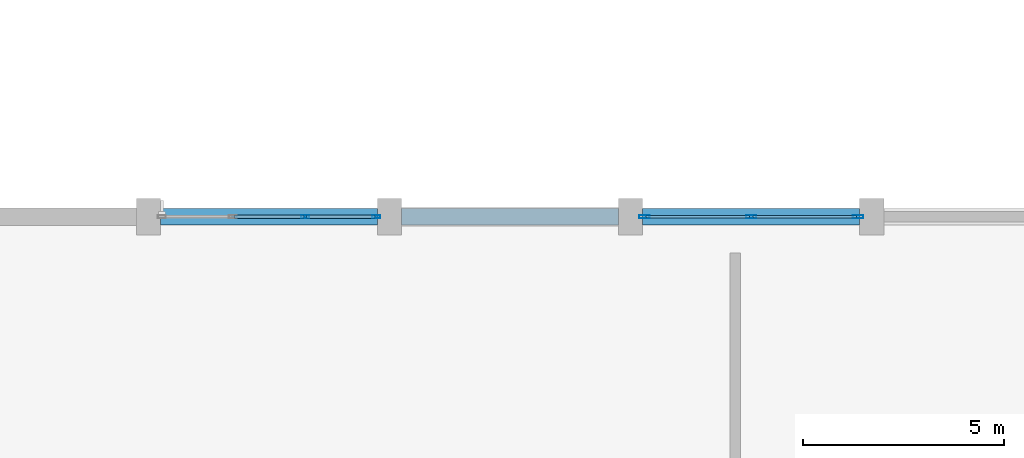
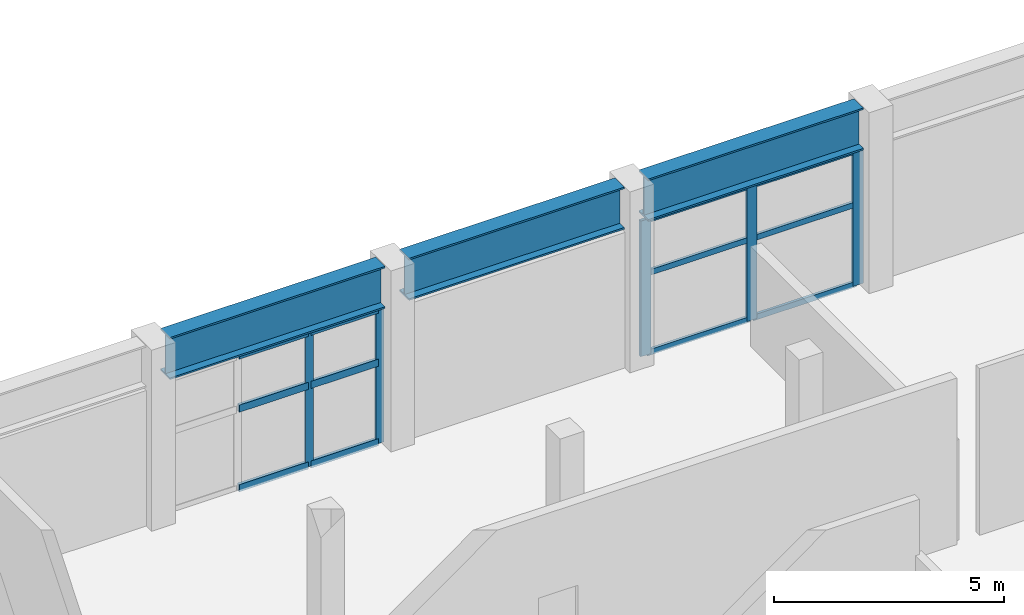
# One storey, part 23 of 62: 17 members, 3 beams, 2 elements without a shape of their own.
"""IFC4 building model written with IfcOpenShell, lengths in metres."""

from ifc_helpers import new_model, si_unit, direction, frame, origin, origin_2d, place, context, subcontext, project, spatial, hollow_rectangle, i_section, extrude, material, layer, layer_set, material_profile, profile_set, type_object, element, aggregate, save


model = new_model("IFC4")

# Units and contexts
model_context = context("Model", 3, precision=1e-05, world=origin(), true_north=direction((0.0, 1.0)))
body_context = subcontext(model_context, "Body", "Model", "MODEL_VIEW")
ifc_project = project(units=[si_unit("LENGTHUNIT", "METRE"), si_unit("AREAUNIT", "SQUARE_METRE"), si_unit("VOLUMEUNIT", "CUBIC_METRE"), si_unit("PLANEANGLEUNIT", "RADIAN"), si_unit("MASSUNIT", "GRAM", prefix="KILO")], contexts=[model_context])

# Site, building, storey
site_placement = place(None, origin())
site = spatial("IfcSite", under=ifc_project, at=site_placement, CompositionType="ELEMENT")
building_placement = place(site_placement, origin())
building = spatial("IfcBuilding", under=site, at=building_placement, Name="Vaelkrest Opera House", CompositionType="ELEMENT")
storey_placement = place(building_placement, frame((0.0, 0.0, 19.800048828125)))
storey = spatial("IfcBuildingStorey", under=building, at=storey_placement, Name="L04", CompositionType="ELEMENT", Elevation=19.800048828125)

# Curtain wall, members
ifc_material_1 = material(Name="Dark bronze anodized aluminium", Category="aluminium")
ifc_layer_1 = layer(ifc_material_1, 0.22998046875)
ifc_layer_set_1 = layer_set([ifc_layer_1], Name="Dark bronze anodized aluminium")
curtain_wall_type_1 = type_object("IfcCurtainWallType", Name="CW06", PredefinedType="NOTDEFINED", material=ifc_layer_set_1)
curtain_wall_1_placement = place(storey_placement, origin())
curtain_wall_1 = element("IfcCurtainWall", 1, at=curtain_wall_1_placement, inside=storey, type_object=curtain_wall_type_1, Name="Curtain wall CW-L04-144", PredefinedType="NOTDEFINED")
ifc_material_profile_1 = material_profile(ifc_material_1, hollow_rectangle(XDim=0.070068359375, YDim=0.199951171875, WallThickness=0.004150390625, at=origin_2d()), Name="CWM70X200")
ifc_profile_set_1 = profile_set([ifc_material_profile_1], Name="Dark bronze anodized aluminium")
member_type_1 = type_object("IfcMemberType", Name="CWM02", PredefinedType="MULLION", material=ifc_profile_set_1)
member_1_placement = place(storey_placement, frame((-59.69921875, 17.699951171875, 0.0), z_axis=(0.0, 0.0, 1.0), x_axis=(0.0, 1.0, 0.0)))
member_1 = element("IfcMember", 2, at=member_1_placement, type_object=member_type_1, Name="CW06 mullion 3", PredefinedType="MULLION", context=body_context, shape_type="SweptSolid", body=[
    extrude(hollow_rectangle(XDim=0.070068359375, YDim=0.199951171875, WallThickness=0.004150390625, at=origin_2d()), origin(), (0.0, 0.0, 1.0), 3.596923828125),
])
member_2_placement = place(storey_placement, frame((-57.93310546875, 17.699951171875, 0.0), z_axis=(0.0, 0.0, 1.0), x_axis=(0.0, 1.0, 0.0)))
member_2 = element("IfcMember", 3, at=member_2_placement, type_object=member_type_1, Name="CW06 mullion 4", PredefinedType="MULLION", context=body_context, shape_type="SweptSolid", body=[
    extrude(hollow_rectangle(XDim=0.070068359375, YDim=0.199951171875, WallThickness=0.004150390625, at=origin_2d()), origin(), (0.0, 0.0, 1.0), 3.596923828125),
])

ifc_layer_2 = layer(ifc_material_1, 0.25)
ifc_layer_set_2 = layer_set([ifc_layer_2], Name="Dark bronze anodized aluminium")
curtain_wall_type_2 = type_object("IfcCurtainWallType", Name="CW08", PredefinedType="NOTDEFINED", material=ifc_layer_set_2)
curtain_wall_2_placement = place(storey_placement, origin())
curtain_wall_2 = element("IfcCurtainWall", 4, at=curtain_wall_2_placement, inside=storey, type_object=curtain_wall_type_2, Name="Curtain wall CW-L04-145", PredefinedType="NOTDEFINED")
ifc_material_profile_2 = material_profile(ifc_material_1, hollow_rectangle(XDim=0.080078125, YDim=0.260009765625, WallThickness=0.0048828125, at=origin_2d()), Name="CWM80X260")
ifc_profile_set_2 = profile_set([ifc_material_profile_2], Name="Dark bronze anodized aluminium")
member_type_2 = type_object("IfcMemberType", Name="CWM04", PredefinedType="MULLION", material=ifc_profile_set_2)
member_3_placement = place(storey_placement, frame((-51.261962890625, 17.699951171875, 0.0), z_axis=(0.0, 0.0, 1.0), x_axis=(0.0, 1.0, 0.0)))
member_3 = element("IfcMember", 5, at=member_3_placement, type_object=member_type_2, Name="CW08 mullion 1", PredefinedType="MULLION", context=body_context, shape_type="SweptSolid", body=[
    extrude(hollow_rectangle(XDim=0.080078125, YDim=0.260009765625, WallThickness=0.0048828125, at=origin_2d()), origin(), (0.0, 0.0, 1.0), 3.596923828125),
])
member_4_placement = place(storey_placement, frame((-48.60009765625, 17.699951171875, 0.0), z_axis=(0.0, 0.0, 1.0), x_axis=(0.0, 1.0, 0.0)))
member_4 = element("IfcMember", 6, at=member_4_placement, type_object=member_type_2, Name="CW08 mullion 2", PredefinedType="MULLION", context=body_context, shape_type="SweptSolid", body=[
    extrude(hollow_rectangle(XDim=0.080078125, YDim=0.260009765625, WallThickness=0.0048828125, at=origin_2d()), origin(), (0.0, 0.0, 1.0), 3.596923828125),
])
member_5_placement = place(storey_placement, frame((-45.93798828125, 17.699951171875, 0.0), z_axis=(0.0, 0.0, 1.0), x_axis=(0.0, 1.0, 0.0)))
member_5 = element("IfcMember", 7, at=member_5_placement, type_object=member_type_2, Name="CW08 mullion 3", PredefinedType="MULLION", context=body_context, shape_type="SweptSolid", body=[
    extrude(hollow_rectangle(XDim=0.080078125, YDim=0.260009765625, WallThickness=0.0048828125, at=origin_2d()), origin(), (0.0, 0.0, 1.0), 3.596923828125),
])
ifc_material_profile_3 = material_profile(ifc_material_1, hollow_rectangle(XDim=0.070068359375, YDim=0.14990234375, WallThickness=0.004150390625, at=origin_2d()), Name="CWT70X150")
ifc_profile_set_3 = profile_set([ifc_material_profile_3], Name="Dark bronze anodized aluminium")
member_type_3 = type_object("IfcMemberType", Name="CWT02", PredefinedType="USERDEFINED", material=ifc_profile_set_3)
member_6_placement = place(storey_placement, frame((-51.221923828125, 17.699951171875, 0.034912109375), z_axis=(1.0, 0.0, 0.0), x_axis=(0.0, 1.0, 0.0)))
member_6 = element("IfcMember", 8, at=member_6_placement, type_object=member_type_3, Name="CW08 transom 1.1", ObjectType="TRANSOM", PredefinedType="USERDEFINED", context=body_context, shape_type="SweptSolid", body=[
    extrude(hollow_rectangle(XDim=0.070068359375, YDim=0.14990234375, WallThickness=0.004150390625, at=origin_2d()), origin(), (0.0, 0.0, 1.0), 2.58203125),
])
member_7_placement = place(storey_placement, frame((-51.221923828125, 17.699951171875, 2.14990234375), z_axis=(1.0, 0.0, 0.0), x_axis=(0.0, 1.0, 0.0)))
member_7 = element("IfcMember", 9, at=member_7_placement, type_object=member_type_3, Name="CW08 transom 1.2", ObjectType="TRANSOM", PredefinedType="USERDEFINED", context=body_context, shape_type="SweptSolid", body=[
    extrude(hollow_rectangle(XDim=0.070068359375, YDim=0.14990234375, WallThickness=0.004150390625, at=origin_2d()), origin(), (0.0, 0.0, 1.0), 2.58203125),
])
member_8_placement = place(storey_placement, frame((-51.221923828125, 17.699951171875, 3.56201171875), z_axis=(1.0, 0.0, 0.0), x_axis=(0.0, 1.0, 0.0)))
member_8 = element("IfcMember", 10, at=member_8_placement, type_object=member_type_3, Name="CW08 transom 1.3", ObjectType="TRANSOM", PredefinedType="USERDEFINED", context=body_context, shape_type="SweptSolid", body=[
    extrude(hollow_rectangle(XDim=0.070068359375, YDim=0.14990234375, WallThickness=0.004150390625, at=origin_2d()), origin(), (0.0, 0.0, 1.0), 2.58203125),
])
member_9_placement = place(storey_placement, frame((-48.56005859375, 17.699951171875, 0.034912109375), z_axis=(1.0, 0.0, 0.0), x_axis=(0.0, 1.0, 0.0)))
member_9 = element("IfcMember", 11, at=member_9_placement, type_object=member_type_3, Name="CW08 transom 2.1", ObjectType="TRANSOM", PredefinedType="USERDEFINED", context=body_context, shape_type="SweptSolid", body=[
    extrude(hollow_rectangle(XDim=0.070068359375, YDim=0.14990234375, WallThickness=0.004150390625, at=origin_2d()), origin(), (0.0, 0.0, 1.0), 2.58203125),
])
member_10_placement = place(storey_placement, frame((-48.56005859375, 17.699951171875, 2.14990234375), z_axis=(1.0, 0.0, 0.0), x_axis=(0.0, 1.0, 0.0)))
member_10 = element("IfcMember", 12, at=member_10_placement, type_object=member_type_3, Name="CW08 transom 2.2", ObjectType="TRANSOM", PredefinedType="USERDEFINED", context=body_context, shape_type="SweptSolid", body=[
    extrude(hollow_rectangle(XDim=0.070068359375, YDim=0.14990234375, WallThickness=0.004150390625, at=origin_2d()), origin(), (0.0, 0.0, 1.0), 2.58203125),
])
member_11_placement = place(storey_placement, frame((-48.56005859375, 17.699951171875, 3.56201171875), z_axis=(1.0, 0.0, 0.0), x_axis=(0.0, 1.0, 0.0)))
member_11 = element("IfcMember", 13, at=member_11_placement, type_object=member_type_3, Name="CW08 transom 2.3", ObjectType="TRANSOM", PredefinedType="USERDEFINED", context=body_context, shape_type="SweptSolid", body=[
    extrude(hollow_rectangle(XDim=0.070068359375, YDim=0.14990234375, WallThickness=0.004150390625, at=origin_2d()), origin(), (0.0, 0.0, 1.0), 2.58203125),
])
aggregate(curtain_wall_2, [member_3, member_4, member_5, member_6, member_7, member_8, member_9, member_10, member_11])

# Member
ifc_material_profile_4 = material_profile(ifc_material_1, hollow_rectangle(XDim=0.080078125, YDim=0.18994140625, WallThickness=0.0048828125, at=origin_2d()), Name="CWT80X190")
ifc_profile_set_4 = profile_set([ifc_material_profile_4], Name="Dark bronze anodized aluminium")
member_type_4 = type_object("IfcMemberType", Name="CWT04", PredefinedType="USERDEFINED", material=ifc_profile_set_4)
member_12_placement = place(storey_placement, frame((-61.465576171875, 17.699951171875, 0.0400390625), z_axis=(1.0, 0.0, 0.0), x_axis=(0.0, 1.0, 0.0)))
member_12 = element("IfcMember", 14, at=member_12_placement, type_object=member_type_4, Name="CW06 transom 2.1", ObjectType="TRANSOM", PredefinedType="USERDEFINED", context=body_context, shape_type="SweptSolid", body=[
    extrude(hollow_rectangle(XDim=0.080078125, YDim=0.18994140625, WallThickness=0.0048828125, at=origin_2d()), origin(), (0.0, 0.0, 1.0), 1.731201171875),
])

member_13_placement = place(storey_placement, frame((-61.465576171875, 17.699951171875, 2.14990234375), z_axis=(1.0, 0.0, 0.0), x_axis=(0.0, 1.0, 0.0)))
member_13 = element("IfcMember", 15, at=member_13_placement, type_object=member_type_4, Name="CW06 transom 2.2", ObjectType="TRANSOM", PredefinedType="USERDEFINED", context=body_context, shape_type="SweptSolid", body=[
    extrude(hollow_rectangle(XDim=0.080078125, YDim=0.18994140625, WallThickness=0.0048828125, at=origin_2d()), origin(), (0.0, 0.0, 1.0), 1.731201171875),
])

member_14_placement = place(storey_placement, frame((-61.465576171875, 17.699951171875, 3.556884765625), z_axis=(1.0, 0.0, 0.0), x_axis=(0.0, 1.0, 0.0)))
member_14 = element("IfcMember", 16, at=member_14_placement, type_object=member_type_4, Name="CW06 transom 2.3", ObjectType="TRANSOM", PredefinedType="USERDEFINED", context=body_context, shape_type="SweptSolid", body=[
    extrude(hollow_rectangle(XDim=0.080078125, YDim=0.18994140625, WallThickness=0.0048828125, at=origin_2d()), origin(), (0.0, 0.0, 1.0), 1.731201171875),
])

member_15_placement = place(storey_placement, frame((-59.664306640625, 17.699951171875, 0.0400390625), z_axis=(1.0, 0.0, 0.0), x_axis=(0.0, 1.0, 0.0)))
member_15 = element("IfcMember", 17, at=member_15_placement, type_object=member_type_4, Name="CW06 transom 3.1", ObjectType="TRANSOM", PredefinedType="USERDEFINED", context=body_context, shape_type="SweptSolid", body=[
    extrude(hollow_rectangle(XDim=0.080078125, YDim=0.18994140625, WallThickness=0.0048828125, at=origin_2d()), origin(), (0.0, 0.0, 1.0), 1.6962890625),
])

member_16_placement = place(storey_placement, frame((-59.664306640625, 17.699951171875, 2.14990234375), z_axis=(1.0, 0.0, 0.0), x_axis=(0.0, 1.0, 0.0)))
member_16 = element("IfcMember", 18, at=member_16_placement, type_object=member_type_4, Name="CW06 transom 3.2", ObjectType="TRANSOM", PredefinedType="USERDEFINED", context=body_context, shape_type="SweptSolid", body=[
    extrude(hollow_rectangle(XDim=0.080078125, YDim=0.18994140625, WallThickness=0.0048828125, at=origin_2d()), origin(), (0.0, 0.0, 1.0), 1.6962890625),
])

member_17_placement = place(storey_placement, frame((-59.664306640625, 17.699951171875, 3.556884765625), z_axis=(1.0, 0.0, 0.0), x_axis=(0.0, 1.0, 0.0)))
member_17 = element("IfcMember", 19, at=member_17_placement, type_object=member_type_4, Name="CW06 transom 3.3", ObjectType="TRANSOM", PredefinedType="USERDEFINED", context=body_context, shape_type="SweptSolid", body=[
    extrude(hollow_rectangle(XDim=0.080078125, YDim=0.18994140625, WallThickness=0.0048828125, at=origin_2d()), origin(), (0.0, 0.0, 1.0), 1.6962890625),
])

aggregate(curtain_wall_1, [member_1, member_2, member_12, member_13, member_14, member_15, member_16, member_17])

# Beams
ifc_material_2 = material(Name="Steel A992 Gr50", Category="steel")
ifc_material_profile_5 = material_profile(ifc_material_2, i_section(OverallWidth=0.405029296875, OverallDepth=1.117919921875, WebThickness=0.02587890625, FlangeThickness=0.044921875, at=origin_2d()), Name="W44X335")
ifc_profile_set_5 = profile_set([ifc_material_profile_5], Name="Steel A992 Gr50")
beam_type = type_object("IfcBeamType", Name="SP05", PredefinedType="SPANDREL", material=ifc_profile_set_5)
for number, where, z_axis, x_axis, name in (
    (20, (-63.300048828125, 17.699951171875, 4.220947265625), (1.0, 0.0, 0.0), (0.0, 1.0, 0.0), "Beam BM-V3-L04-1812"),
    (21, (-57.300048828125, 17.699951171875, 4.220947265625), (1.0, 0.0, 0.0), (0.0, 1.0, 0.0), "Beam BM-V3-L04-1813"),
    (22, (-51.300048828125, 17.699951171875, 4.220947265625), (1.0, 0.0, 0.0), (0.0, 1.0, 0.0), "Beam BM-V3-L04-1814"),
):
    element("IfcBeam", number, at=place(storey_placement, frame(where, z_axis=z_axis, x_axis=x_axis)), inside=storey, type_object=beam_type, Name=name, PredefinedType="SPANDREL", context=body_context, shape_type="SweptSolid", body=[
        extrude(i_section(OverallWidth=0.405029296875, OverallDepth=1.117919921875, WebThickness=0.02587890625, FlangeThickness=0.044921875, at=origin_2d()), origin(), (0.0, 0.0, 1.0), 5.400146484375),
    ])

save(model, "model.ifc")
